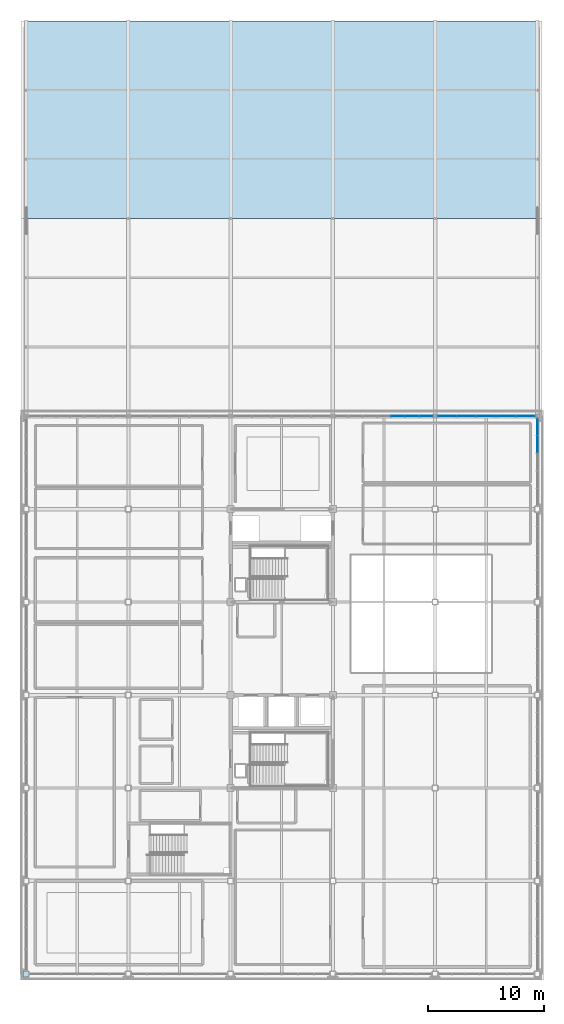
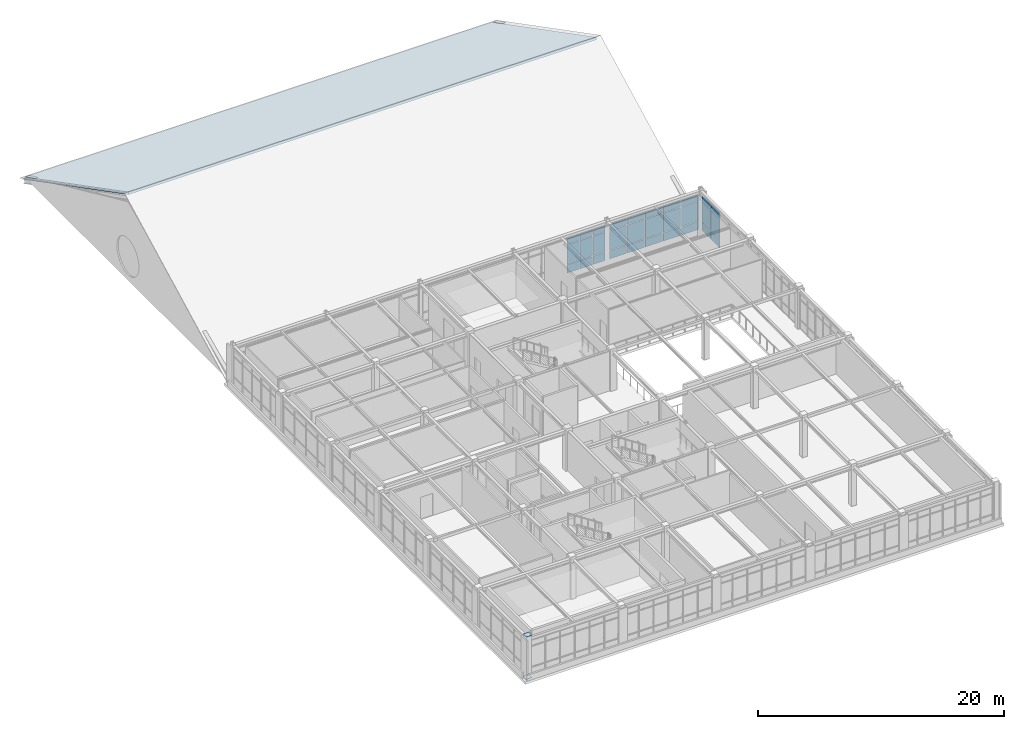
# One storey, part 26 of 45: 32 plates, 1 slab, 3 elements without a shape of their own.
"""IFC4 building model written with IfcOpenShell, lengths in metres."""

import ifcopenshell
import ifcopenshell.guid

model = None  # the IFC model being written
_history = None  # IfcOwnerHistory: only IFC2X3 demands one
_inside = {}  # id of a spatial element -> (the spatial element, [elements in it])
_under = {}  # id of a project, library or spatial element -> (it, [spatial elements below it])
_declared = {}  # id of a project -> (the project, [libraries it declares])
_typed = {}  # id of a type object -> (the type object, [elements of that type])
_made_of = {}  # id of a material, layer set ... -> (it, [elements and type objects made of it])


def new_model(schema):
    """Start an empty IFC model of exactly this schema.

    Asked for "IFC4X3", IfcOpenShell would pick the latest addendum, in which some entities
    have other attributes; the version numbers below select the first issue.
    IFC2X3 requires an IfcOwnerHistory on every rooted entity: one is made here for all.
    """
    global model, _history
    if schema == "IFC4X3":
        model = ifcopenshell.file(schema_version=(4, 3, 0, 0))
    else:
        model = ifcopenshell.file(schema=schema)
    _inside.clear()
    _under.clear()
    _declared.clear()
    _typed.clear()
    _made_of.clear()
    _history = None
    if model.schema == "IFC2X3":
        org = make("IfcOrganization", Name="unknown")
        user = make(
            "IfcPersonAndOrganization",
            ThePerson=make("IfcPerson", FamilyName="unknown"),
            TheOrganization=org,
        )
        app = make(
            "IfcApplication",
            ApplicationDeveloper=org,
            Version="unknown",
            ApplicationFullName="unknown",
            ApplicationIdentifier="unknown",
        )
        _history = make(
            "IfcOwnerHistory",
            OwningUser=user,
            OwningApplication=app,
            ChangeAction="ADDED",
            CreationDate=0,
        )
    return model


def make(cls, **values):
    """One entity of the class cls with the attributes given. An attribute that is None is left unset."""
    return model.create_entity(
        cls, **{name: value for name, value in values.items() if value is not None}
    )


def rooted(cls, **values):
    """An entity with a GlobalId (a new one), such as an element, a storey or a relation."""
    return make(cls, GlobalId=ifcopenshell.guid.new(), OwnerHistory=_history, **values)


def si_unit(unit_type, name, prefix=None):
    """IfcSIUnit, for example si_unit("LENGTHUNIT", "METRE", prefix="MILLI")."""
    return make("IfcSIUnit", UnitType=unit_type, Prefix=prefix, Name=name)


def assignment(units):
    """IfcUnitAssignment: the units of a project."""
    return None if units is None else make("IfcUnitAssignment", Units=units)


def point(xyz):
    """IfcCartesianPoint."""
    return None if xyz is None else make("IfcCartesianPoint", Coordinates=xyz)


def direction(xyz):
    """IfcDirection."""
    return None if xyz is None else make("IfcDirection", DirectionRatios=xyz)


def frame(location, z_axis=None, x_axis=None):
    """IfcAxis2Placement3D, a coordinate frame: its origin and axes. An axis left out is left unset."""
    return make(
        "IfcAxis2Placement3D",
        Location=point(location),
        Axis=direction(z_axis),
        RefDirection=direction(x_axis),
    )


def frame_2d(location, x_axis=None):
    """IfcAxis2Placement2D, a coordinate frame in the plane: its origin and x axis."""
    return make(
        "IfcAxis2Placement2D", Location=point(location), RefDirection=direction(x_axis)
    )


def origin():
    """The frame at (0, 0, 0) with its axes left unset."""
    return frame((0.0, 0.0, 0.0))


def origin_2d():
    """The frame at (0, 0) in the plane with its x axis left unset."""
    return frame_2d((0.0, 0.0))


def place(relative_to, where):
    """IfcLocalPlacement: puts the frame where relative to a parent placement (None: the world)."""
    return make(
        "IfcLocalPlacement", PlacementRelTo=relative_to, RelativePlacement=where
    )


def context(
    kind, dimensions, precision=None, world=None, true_north=None, identifier=None
):
    """IfcGeometricRepresentationContext, for example the 3D "Model" context."""
    return make(
        "IfcGeometricRepresentationContext",
        ContextIdentifier=identifier,
        ContextType=kind,
        CoordinateSpaceDimension=dimensions,
        Precision=precision,
        WorldCoordinateSystem=world,
        TrueNorth=true_north,
    )


def subcontext(parent, identifier, kind, view, scale=None):
    """IfcGeometricRepresentationSubContext, for example "Body" below "Model"."""
    return make(
        "IfcGeometricRepresentationSubContext",
        ContextIdentifier=identifier,
        ContextType=kind,
        ParentContext=parent,
        TargetScale=scale,
        TargetView=view,
    )


def project(units=None, contexts=None):
    """IfcProject with its units and contexts."""
    return rooted(
        "IfcProject",
        Name="project",
        RepresentationContexts=contexts,
        UnitsInContext=assignment(units),
    )


def spatial(cls, under=None, at=None, **own):
    """A site, building, storey or space (cls), placed at a placement, below another one or the project."""
    s = rooted(cls, ObjectPlacement=at, **own)
    if under is not None:
        _under.setdefault(under.id(), (under, []))[1].append(s)
    return s


def polyline(points):
    """IfcPolyline through the points."""
    return make("IfcPolyline", Points=[point(p) for p in points])


def profile(cls, at=None, kind="AREA", **sizes):
    """A parametric profile (cls). Its sizes go by their IFC names, for example OverallWidth=200.0."""
    return make(cls, ProfileType=kind, Position=at, **sizes)


def rectangle(**sizes):
    """IfcRectangleProfileDef."""
    return profile("IfcRectangleProfileDef", **sizes)


def outline(outer, holes=None, kind="AREA"):
    """IfcArbitraryClosedProfileDef: a profile drawn as a closed curve; with holes, ...WithVoids."""
    if holes is None:
        return make("IfcArbitraryClosedProfileDef", ProfileType=kind, OuterCurve=outer)
    return make(
        "IfcArbitraryProfileDefWithVoids",
        ProfileType=kind,
        OuterCurve=outer,
        InnerCurves=holes,
    )


def extrude(swept, where, along, depth):
    """IfcExtrudedAreaSolid: the profile swept, set in the frame where, extruded along a direction by depth."""
    return make(
        "IfcExtrudedAreaSolid",
        SweptArea=swept,
        Position=where,
        ExtrudedDirection=direction(along),
        Depth=depth,
    )


def shape(context_of_items, identifier, shape_type, items):
    """IfcShapeRepresentation: the items that make up one representation, for example the "Body"."""
    return make(
        "IfcShapeRepresentation",
        ContextOfItems=context_of_items,
        RepresentationIdentifier=identifier,
        RepresentationType=shape_type,
        Items=items,
    )


def material(Name=None, Category=None):
    """IfcMaterial."""
    return make("IfcMaterial", Name=Name, Category=Category)


def layer(
    of_material, thickness, ventilated=None, Name=None, Category=None, Priority=None
):
    """IfcMaterialLayer: one layer of a wall or slab, of a material (None: an air gap)."""
    return make(
        "IfcMaterialLayer",
        Material=of_material,
        LayerThickness=thickness,
        IsVentilated=ventilated,
        Name=Name,
        Category=Category,
        Priority=Priority,
    )


def layer_set(layers, Name=None):
    """IfcMaterialLayerSet."""
    return make("IfcMaterialLayerSet", MaterialLayers=layers, LayerSetName=Name)


def made_of(thing, what):
    """Note that an element or type object is made of a material, layer set ...; save() writes the relation."""
    if what is not None:
        _made_of.setdefault(what.id(), (what, []))[1].append(thing)
    return thing


def type_object(cls, material=None, **own):
    """A type object (cls), such as IfcWallType, which elements share."""
    return made_of(rooted(cls, **own), material)


def element(
    cls,
    number,
    at=None,
    inside=None,
    cuts=None,
    type_object=None,
    material=None,
    context=None,
    identifier="Body",
    shape_type=None,
    held_by="IfcProductDefinitionShape",
    body=None,
    shapes=None,
    **own,
):
    """One element of the class cls, such as IfcWall. Its Tag is "e" and its number.

    at: its placement. inside: the storey or other place that contains it. cuts: it is an
    opening in that element (IfcRelVoidsElement). A single representation is given by context,
    identifier, shape_type and body (its items); several are given by shapes. held_by: the class
    of the entity that holds the representations. save() writes the other relations.
    """
    e = rooted(cls, Tag="e%d" % number, ObjectPlacement=at, **own)
    if body is not None:
        shapes = [shape(context, identifier, shape_type, body)]
    if shapes is not None:
        e.Representation = make(held_by, Representations=shapes)
    if inside is not None:
        _inside.setdefault(inside.id(), (inside, []))[1].append(e)
    if cuts is not None:
        rooted(
            "IfcRelVoidsElement", RelatingBuildingElement=cuts, RelatedOpeningElement=e
        )
    if type_object is not None:
        _typed.setdefault(type_object.id(), (type_object, []))[1].append(e)
    return made_of(e, material)


def aggregate(whole, parts):
    """IfcRelAggregates: a whole, such as a stair, and the parts it consists of."""
    return rooted("IfcRelAggregates", RelatingObject=whole, RelatedObjects=parts)


def save(model, path):
    """Write the relations noted so far, then the file.

    IfcRelAggregates (storeys below a building ...), IfcRelContainedInSpatialStructure (elements
    in a storey), IfcRelDefinesByType, IfcRelAssociatesMaterial and IfcRelDeclares: one each for
    every whole, place, type object, material and project.
    """
    for whole, parts in _under.values():
        aggregate(whole, parts)
    for where, things in _inside.values():
        rooted(
            "IfcRelContainedInSpatialStructure",
            RelatedElements=things,
            RelatingStructure=where,
        )
    for kind, things in _typed.values():
        rooted("IfcRelDefinesByType", RelatedObjects=things, RelatingType=kind)
    for what, things in _made_of.values():
        rooted("IfcRelAssociatesMaterial", RelatedObjects=things, RelatingMaterial=what)
    for by, libraries in _declared.values():
        rooted("IfcRelDeclares", RelatingContext=by, RelatedDefinitions=libraries)
    model.write(path)


model = new_model("IFC4")

# Units and contexts
model_context = context("Model", 3, precision=1e-05, world=origin(), true_north=direction((0.0, 1.0)))
body_context = subcontext(model_context, "Body", "Model", "MODEL_VIEW")
ifc_project = project(units=[si_unit("LENGTHUNIT", "METRE"), si_unit("AREAUNIT", "SQUARE_METRE"), si_unit("VOLUMEUNIT", "CUBIC_METRE"), si_unit("PLANEANGLEUNIT", "RADIAN"), si_unit("MASSUNIT", "GRAM", prefix="KILO")], contexts=[model_context])

# Site, building, storey
site_placement = place(None, origin())
site = spatial("IfcSite", under=ifc_project, at=site_placement, CompositionType="ELEMENT")
building_placement = place(site_placement, origin())
building = spatial("IfcBuilding", under=site, at=building_placement, Name="Zhaolan Boulevard Law Courts", CompositionType="ELEMENT")
storey_placement = place(building_placement, frame((0.0, 0.0, 24.60009765625)))
storey = spatial("IfcBuildingStorey", under=building, at=storey_placement, Name="L05", CompositionType="ELEMENT", Elevation=24.60009765625)

# Curtain wall, plates
ifc_material_1 = material(Name="Thermally broken aluminium and low-E glazing", Category="aluminium")
curtain_wall_type_1 = type_object("IfcCurtainWallType", Name="CURTAIN WALL M18", PredefinedType="USERDEFINED", material=ifc_material_1)
curtain_wall_1_placement = place(storey_placement, origin())
curtain_wall_1 = element("IfcCurtainWall", 1, at=curtain_wall_1_placement, inside=storey, type_object=curtain_wall_type_1, Name="Curtain Wall CW-L05-210", ObjectType="CURTAIN WALL", PredefinedType="USERDEFINED")
ifc_material_2 = material(Name="Triple-silver low-E insulated glazing", Category="glass")
ifc_layer_1 = layer(ifc_material_2, 0.028076171875)
ifc_layer_set_1 = layer_set([ifc_layer_1])
plate_type_1 = type_object("IfcPlateType", Name="CWPANEL LOW E28", PredefinedType="CURTAIN_PANEL", material=ifc_layer_set_1)
plate_1_placement = place(storey_placement, frame((34.426025390625, 78.0, 0.059814453125), z_axis=(0.0, 0.0, 1.0), x_axis=(-1.0, 0.0, 0.0)))
plate_1 = element("IfcPlate", 2, at=plate_1_placement, type_object=plate_type_1, Name="CW-L05-210 panel 1.1", PredefinedType="CURTAIN_PANEL", context=body_context, shape_type="SweptSolid", body=[
    extrude(rectangle(XDim=1.123779296875, YDim=0.028076171875, at=origin_2d()), origin(), (0.0, 0.0, 1.0), 0.81005859375),
])
plate_2_placement = place(storey_placement, frame((34.426025390625, 78.0, 0.929931640625), z_axis=(0.0, 0.0, 1.0), x_axis=(-1.0, 0.0, 0.0)))
plate_2 = element("IfcPlate", 3, at=plate_2_placement, type_object=plate_type_1, Name="CW-L05-210 panel 1.2", PredefinedType="CURTAIN_PANEL", context=body_context, shape_type="SweptSolid", body=[
    extrude(rectangle(XDim=1.123779296875, YDim=0.028076171875, at=origin_2d()), origin(), (0.0, 0.0, 1.0), 1.93310546875),
])
plate_3_placement = place(storey_placement, frame((34.426025390625, 78.0, 2.9228515625), z_axis=(0.0, 0.0, 1.0), x_axis=(-1.0, 0.0, 0.0)))
plate_3 = element("IfcPlate", 4, at=plate_3_placement, type_object=plate_type_1, Name="CW-L05-210 panel 1.3", PredefinedType="CURTAIN_PANEL", context=body_context, shape_type="SweptSolid", body=[
    extrude(rectangle(XDim=1.123779296875, YDim=0.028076171875, at=origin_2d()), origin(), (0.0, 0.0, 1.0), 0.56005859375),
])
plate_4_placement = place(storey_placement, frame((33.2275390625, 78.0, 0.059814453125), z_axis=(0.0, 0.0, 1.0), x_axis=(-1.0, 0.0, 0.0)))
plate_4 = element("IfcPlate", 5, at=plate_4_placement, type_object=plate_type_1, Name="CW-L05-210 panel 2.1", PredefinedType="CURTAIN_PANEL", context=body_context, shape_type="SweptSolid", body=[
    extrude(rectangle(XDim=1.15380859375, YDim=0.028076171875, at=origin_2d()), origin(), (0.0, 0.0, 1.0), 0.81005859375),
])
plate_5_placement = place(storey_placement, frame((33.2275390625, 78.0, 0.929931640625), z_axis=(0.0, 0.0, 1.0), x_axis=(-1.0, 0.0, 0.0)))
plate_5 = element("IfcPlate", 6, at=plate_5_placement, type_object=plate_type_1, Name="CW-L05-210 panel 2.2", PredefinedType="CURTAIN_PANEL", context=body_context, shape_type="SweptSolid", body=[
    extrude(rectangle(XDim=1.15380859375, YDim=0.028076171875, at=origin_2d()), origin(), (0.0, 0.0, 1.0), 1.93310546875),
])
plate_6_placement = place(storey_placement, frame((33.2275390625, 78.0, 2.9228515625), z_axis=(0.0, 0.0, 1.0), x_axis=(-1.0, 0.0, 0.0)))
plate_6 = element("IfcPlate", 7, at=plate_6_placement, type_object=plate_type_1, Name="CW-L05-210 panel 2.3", PredefinedType="CURTAIN_PANEL", context=body_context, shape_type="SweptSolid", body=[
    extrude(rectangle(XDim=1.15380859375, YDim=0.028076171875, at=origin_2d()), origin(), (0.0, 0.0, 1.0), 0.56005859375),
])
plate_7_placement = place(storey_placement, frame((32.013671875, 78.0, 0.059814453125), z_axis=(0.0, 0.0, 1.0), x_axis=(-1.0, 0.0, 0.0)))
plate_7 = element("IfcPlate", 8, at=plate_7_placement, type_object=plate_type_1, Name="CW-L05-210 panel 3.1", PredefinedType="CURTAIN_PANEL", context=body_context, shape_type="SweptSolid", body=[
    extrude(rectangle(XDim=1.15380859375, YDim=0.028076171875, at=origin_2d()), origin(), (0.0, 0.0, 1.0), 0.81005859375),
])
plate_8_placement = place(storey_placement, frame((32.013671875, 78.0, 0.929931640625), z_axis=(0.0, 0.0, 1.0), x_axis=(-1.0, 0.0, 0.0)))
plate_8 = element("IfcPlate", 9, at=plate_8_placement, type_object=plate_type_1, Name="CW-L05-210 panel 3.2", PredefinedType="CURTAIN_PANEL", context=body_context, shape_type="SweptSolid", body=[
    extrude(rectangle(XDim=1.15380859375, YDim=0.028076171875, at=origin_2d()), origin(), (0.0, 0.0, 1.0), 1.93310546875),
])
plate_9_placement = place(storey_placement, frame((32.013671875, 78.0, 2.9228515625), z_axis=(0.0, 0.0, 1.0), x_axis=(-1.0, 0.0, 0.0)))
plate_9 = element("IfcPlate", 10, at=plate_9_placement, type_object=plate_type_1, Name="CW-L05-210 panel 3.3", PredefinedType="CURTAIN_PANEL", context=body_context, shape_type="SweptSolid", body=[
    extrude(rectangle(XDim=1.15380859375, YDim=0.028076171875, at=origin_2d()), origin(), (0.0, 0.0, 1.0), 0.56005859375),
])
aggregate(curtain_wall_1, [plate_1, plate_2, plate_3, plate_4, plate_5, plate_6, plate_7, plate_8, plate_9])

ifc_material_3 = material(Name="Thermally broken aluminium and low-E glazing", Category="aluminium")
curtain_wall_type_2 = type_object("IfcCurtainWallType", Name="CURTAIN WALL M19", PredefinedType="USERDEFINED", material=ifc_material_3)
curtain_wall_2_placement = place(storey_placement, origin())
curtain_wall_2 = element("IfcCurtainWall", 11, at=curtain_wall_2_placement, inside=storey, type_object=curtain_wall_type_2, Name="Curtain Wall CW-L05-211", ObjectType="CURTAIN WALL", PredefinedType="USERDEFINED")
plate_10_placement = place(storey_placement, frame((42.982177734375, 78.0, 0.06494140625), z_axis=(0.0, 0.0, 1.0), x_axis=(-1.0, 0.0, 0.0)))
plate_10 = element("IfcPlate", 12, at=plate_10_placement, type_object=plate_type_1, Name="CW-L05-211 panel 1.1", PredefinedType="CURTAIN_PANEL", context=body_context, shape_type="SweptSolid", body=[
    extrude(rectangle(XDim=1.601806640625, YDim=0.028076171875, at=origin_2d()), origin(), (0.0, 0.0, 1.0), 0.802490234375),
])
plate_11_placement = place(storey_placement, frame((42.982177734375, 78.0, 0.9326171875), z_axis=(0.0, 0.0, 1.0), x_axis=(-1.0, 0.0, 0.0)))
plate_11 = element("IfcPlate", 13, at=plate_11_placement, type_object=plate_type_1, Name="CW-L05-211 panel 1.2", PredefinedType="CURTAIN_PANEL", context=body_context, shape_type="SweptSolid", body=[
    extrude(rectangle(XDim=1.601806640625, YDim=0.028076171875, at=origin_2d()), origin(), (0.0, 0.0, 1.0), 1.927978515625),
])
plate_12_placement = place(storey_placement, frame((42.982177734375, 78.0, 2.92529296875), z_axis=(0.0, 0.0, 1.0), x_axis=(-1.0, 0.0, 0.0)))
plate_12 = element("IfcPlate", 14, at=plate_12_placement, type_object=plate_type_1, Name="CW-L05-211 panel 1.3", PredefinedType="CURTAIN_PANEL", context=body_context, shape_type="SweptSolid", body=[
    extrude(rectangle(XDim=1.601806640625, YDim=0.028076171875, at=origin_2d()), origin(), (0.0, 0.0, 1.0), 0.552490234375),
])
plate_13_placement = place(storey_placement, frame((41.29931640625, 78.0, 0.06494140625), z_axis=(0.0, 0.0, 1.0), x_axis=(-1.0, 0.0, 0.0)))
plate_13 = element("IfcPlate", 15, at=plate_13_placement, type_object=plate_type_1, Name="CW-L05-211 panel 2.1", PredefinedType="CURTAIN_PANEL", context=body_context, shape_type="SweptSolid", body=[
    extrude(rectangle(XDim=1.63427734375, YDim=0.028076171875, at=origin_2d()), origin(), (0.0, 0.0, 1.0), 0.802490234375),
])
plate_14_placement = place(storey_placement, frame((41.29931640625, 78.0, 0.9326171875), z_axis=(0.0, 0.0, 1.0), x_axis=(-1.0, 0.0, 0.0)))
plate_14 = element("IfcPlate", 16, at=plate_14_placement, type_object=plate_type_1, Name="CW-L05-211 panel 2.2", PredefinedType="CURTAIN_PANEL", context=body_context, shape_type="SweptSolid", body=[
    extrude(rectangle(XDim=1.63427734375, YDim=0.028076171875, at=origin_2d()), origin(), (0.0, 0.0, 1.0), 1.927978515625),
])
plate_15_placement = place(storey_placement, frame((41.29931640625, 78.0, 2.92529296875), z_axis=(0.0, 0.0, 1.0), x_axis=(-1.0, 0.0, 0.0)))
plate_15 = element("IfcPlate", 17, at=plate_15_placement, type_object=plate_type_1, Name="CW-L05-211 panel 2.3", PredefinedType="CURTAIN_PANEL", context=body_context, shape_type="SweptSolid", body=[
    extrude(rectangle(XDim=1.63427734375, YDim=0.028076171875, at=origin_2d()), origin(), (0.0, 0.0, 1.0), 0.552490234375),
])
plate_16_placement = place(storey_placement, frame((39.60009765625, 78.0, 0.06494140625), z_axis=(0.0, 0.0, 1.0), x_axis=(-1.0, 0.0, 0.0)))
plate_16 = element("IfcPlate", 18, at=plate_16_placement, type_object=plate_type_1, Name="CW-L05-211 panel 3.1", PredefinedType="CURTAIN_PANEL", context=body_context, shape_type="SweptSolid", body=[
    extrude(rectangle(XDim=1.63427734375, YDim=0.028076171875, at=origin_2d()), origin(), (0.0, 0.0, 1.0), 0.802490234375),
])
plate_17_placement = place(storey_placement, frame((39.60009765625, 78.0, 0.9326171875), z_axis=(0.0, 0.0, 1.0), x_axis=(-1.0, 0.0, 0.0)))
plate_17 = element("IfcPlate", 19, at=plate_17_placement, type_object=plate_type_1, Name="CW-L05-211 panel 3.2", PredefinedType="CURTAIN_PANEL", context=body_context, shape_type="SweptSolid", body=[
    extrude(rectangle(XDim=1.63427734375, YDim=0.028076171875, at=origin_2d()), origin(), (0.0, 0.0, 1.0), 1.927978515625),
])
plate_18_placement = place(storey_placement, frame((39.60009765625, 78.0, 2.92529296875), z_axis=(0.0, 0.0, 1.0), x_axis=(-1.0, 0.0, 0.0)))
plate_18 = element("IfcPlate", 20, at=plate_18_placement, type_object=plate_type_1, Name="CW-L05-211 panel 3.3", PredefinedType="CURTAIN_PANEL", context=body_context, shape_type="SweptSolid", body=[
    extrude(rectangle(XDim=1.63427734375, YDim=0.028076171875, at=origin_2d()), origin(), (0.0, 0.0, 1.0), 0.552490234375),
])
plate_19_placement = place(storey_placement, frame((37.90087890625, 78.0, 0.06494140625), z_axis=(0.0, 0.0, 1.0), x_axis=(-1.0, 0.0, 0.0)))
plate_19 = element("IfcPlate", 21, at=plate_19_placement, type_object=plate_type_1, Name="CW-L05-211 panel 4.1", PredefinedType="CURTAIN_PANEL", context=body_context, shape_type="SweptSolid", body=[
    extrude(rectangle(XDim=1.63427734375, YDim=0.028076171875, at=origin_2d()), origin(), (0.0, 0.0, 1.0), 0.802490234375),
])
plate_20_placement = place(storey_placement, frame((37.90087890625, 78.0, 0.9326171875), z_axis=(0.0, 0.0, 1.0), x_axis=(-1.0, 0.0, 0.0)))
plate_20 = element("IfcPlate", 22, at=plate_20_placement, type_object=plate_type_1, Name="CW-L05-211 panel 4.2", PredefinedType="CURTAIN_PANEL", context=body_context, shape_type="SweptSolid", body=[
    extrude(rectangle(XDim=1.63427734375, YDim=0.028076171875, at=origin_2d()), origin(), (0.0, 0.0, 1.0), 1.927978515625),
])
plate_21_placement = place(storey_placement, frame((37.90087890625, 78.0, 2.92529296875), z_axis=(0.0, 0.0, 1.0), x_axis=(-1.0, 0.0, 0.0)))
plate_21 = element("IfcPlate", 23, at=plate_21_placement, type_object=plate_type_1, Name="CW-L05-211 panel 4.3", PredefinedType="CURTAIN_PANEL", context=body_context, shape_type="SweptSolid", body=[
    extrude(rectangle(XDim=1.63427734375, YDim=0.028076171875, at=origin_2d()), origin(), (0.0, 0.0, 1.0), 0.552490234375),
])
plate_22_placement = place(storey_placement, frame((36.2177734375, 78.0, 0.06494140625), z_axis=(0.0, 0.0, 1.0), x_axis=(-1.0, 0.0, 0.0)))
plate_22 = element("IfcPlate", 24, at=plate_22_placement, type_object=plate_type_1, Name="CW-L05-211 panel 5.1", PredefinedType="CURTAIN_PANEL", context=body_context, shape_type="SweptSolid", body=[
    extrude(rectangle(XDim=1.601806640625, YDim=0.028076171875, at=origin_2d()), origin(), (0.0, 0.0, 1.0), 0.802490234375),
])
plate_23_placement = place(storey_placement, frame((36.2177734375, 78.0, 0.9326171875), z_axis=(0.0, 0.0, 1.0), x_axis=(-1.0, 0.0, 0.0)))
plate_23 = element("IfcPlate", 25, at=plate_23_placement, type_object=plate_type_1, Name="CW-L05-211 panel 5.2", PredefinedType="CURTAIN_PANEL", context=body_context, shape_type="SweptSolid", body=[
    extrude(rectangle(XDim=1.601806640625, YDim=0.028076171875, at=origin_2d()), origin(), (0.0, 0.0, 1.0), 1.927978515625),
])
plate_24_placement = place(storey_placement, frame((36.2177734375, 78.0, 2.92529296875), z_axis=(0.0, 0.0, 1.0), x_axis=(-1.0, 0.0, 0.0)))
plate_24 = element("IfcPlate", 26, at=plate_24_placement, type_object=plate_type_1, Name="CW-L05-211 panel 5.3", PredefinedType="CURTAIN_PANEL", context=body_context, shape_type="SweptSolid", body=[
    extrude(rectangle(XDim=1.601806640625, YDim=0.028076171875, at=origin_2d()), origin(), (0.0, 0.0, 1.0), 0.552490234375),
])
aggregate(curtain_wall_2, [plate_10, plate_11, plate_12, plate_13, plate_14, plate_15, plate_16, plate_17, plate_18, plate_19, plate_20, plate_21, plate_22, plate_23, plate_24])

ifc_material_4 = material(Name="Thermally broken aluminium and low-E glazing", Category="aluminium")
curtain_wall_type_3 = type_object("IfcCurtainWallType", Name="CURTAIN WALL M7", PredefinedType="USERDEFINED", material=ifc_material_4)
curtain_wall_3_placement = place(storey_placement, origin())
curtain_wall_3 = element("IfcCurtainWall", 27, at=curtain_wall_3_placement, inside=storey, type_object=curtain_wall_type_3, Name="Curtain Wall CW-L05-223", ObjectType="CURTAIN WALL", PredefinedType="USERDEFINED")
plate_25_placement = place(storey_placement, frame((44.0, 75.569091796875, 0.06494140625), z_axis=(0.0, 0.0, 1.0), x_axis=(0.0, 1.0, 0.0)))
plate_25 = element("IfcPlate", 28, at=plate_25_placement, type_object=plate_type_1, Name="CW-L05-223 panel 4.1", PredefinedType="CURTAIN_PANEL", context=body_context, shape_type="SweptSolid", body=[
    extrude(rectangle(XDim=1.4541015625, YDim=0.028076171875, at=origin_2d()), origin(), (0.0, 0.0, 1.0), 0.802490234375),
])
plate_26_placement = place(storey_placement, frame((44.0, 75.569091796875, 0.932373046875), z_axis=(0.0, 0.0, 1.0), x_axis=(0.0, 1.0, 0.0)))
plate_26 = element("IfcPlate", 29, at=plate_26_placement, type_object=plate_type_1, Name="CW-L05-223 panel 4.2", PredefinedType="CURTAIN_PANEL", context=body_context, shape_type="SweptSolid", body=[
    extrude(rectangle(XDim=1.4541015625, YDim=0.028076171875, at=origin_2d()), origin(), (0.0, 0.0, 1.0), 1.97802734375),
])
plate_27_placement = place(storey_placement, frame((44.0, 75.569091796875, 2.9755859375), z_axis=(0.0, 0.0, 1.0), x_axis=(0.0, 1.0, 0.0)))
plate_27 = element("IfcPlate", 30, at=plate_27_placement, type_object=plate_type_1, Name="CW-L05-223 panel 4.3", PredefinedType="CURTAIN_PANEL", context=body_context, shape_type="SweptSolid", body=[
    extrude(rectangle(XDim=1.4541015625, YDim=0.028076171875, at=origin_2d()), origin(), (0.0, 0.0, 1.0), 0.552490234375),
])
plate_28_placement = place(storey_placement, frame((44.0, 77.072265625, 0.06494140625), z_axis=(0.0, 0.0, 1.0), x_axis=(0.0, 1.0, 0.0)))
plate_28 = element("IfcPlate", 31, at=plate_28_placement, type_object=plate_type_1, Name="CW-L05-223 panel 5.1", PredefinedType="CURTAIN_PANEL", context=body_context, shape_type="SweptSolid", body=[
    extrude(rectangle(XDim=1.421630859375, YDim=0.028076171875, at=origin_2d()), origin(), (0.0, 0.0, 1.0), 0.802490234375),
])
plate_29_placement = place(storey_placement, frame((44.0, 77.072265625, 0.932373046875), z_axis=(0.0, 0.0, 1.0), x_axis=(0.0, 1.0, 0.0)))
plate_29 = element("IfcPlate", 32, at=plate_29_placement, type_object=plate_type_1, Name="CW-L05-223 panel 5.2", PredefinedType="CURTAIN_PANEL", context=body_context, shape_type="SweptSolid", body=[
    extrude(rectangle(XDim=1.421630859375, YDim=0.028076171875, at=origin_2d()), origin(), (0.0, 0.0, 1.0), 1.97802734375),
])
plate_30_placement = place(storey_placement, frame((44.0, 77.072265625, 2.9755859375), z_axis=(0.0, 0.0, 1.0), x_axis=(0.0, 1.0, 0.0)))
plate_30 = element("IfcPlate", 33, at=plate_30_placement, type_object=plate_type_1, Name="CW-L05-223 panel 5.3", PredefinedType="CURTAIN_PANEL", context=body_context, shape_type="SweptSolid", body=[
    extrude(rectangle(XDim=1.421630859375, YDim=0.028076171875, at=origin_2d()), origin(), (0.0, 0.0, 1.0), 0.552490234375),
])
aggregate(curtain_wall_3, [plate_25, plate_26, plate_27, plate_28, plate_29, plate_30])

# Plates
ifc_material_5 = material(Name="Structural steel Q355B", Category="steel")
ifc_layer_2 = layer(ifc_material_5, 0.02001953125)
ifc_layer_set_2 = layer_set([ifc_layer_2])
plate_type_2 = type_object("IfcPlateType", Name="END CAP PLATE 20", PredefinedType="SHEET", material=ifc_layer_set_2)
for number, where, z_axis, x_axis, name in (
    (34, (0.0, 30.0, -0.01806640625), (0.0, 0.0, 1.0), (1.0, 0.0, 0.0), "Hollow Section End-Cap Plate ECP-0013"),
    (35, (0.0, 30.0, 4.197998046875), (0.0, 0.0, 1.0), (1.0, 0.0, 0.0), "Hollow Section End-Cap Plate ECP-0014"),
):
    element("IfcPlate", number, at=place(storey_placement, frame(where, z_axis=z_axis, x_axis=x_axis)), inside=storey, type_object=plate_type_2, Name=name, PredefinedType="SHEET", context=body_context, shape_type="SweptSolid", body=[
        extrude(rectangle(XDim=0.530029296875, YDim=0.530029296875, at=origin_2d()), origin(), (0.0, 0.0, 1.0), 0.02001953125),
    ])

# Slab
ifc_material_6 = material(Name="Concrete C40", Category="concrete")
ifc_layer_3 = layer(ifc_material_6, 0.22998046875)
ifc_layer_set_3 = layer_set([ifc_layer_3])
slab_type = type_object("IfcSlabType", Name="LIBRARY ROOF SLAB 230", PredefinedType="ROOF", material=ifc_layer_set_3)
slab_placement = place(storey_placement, frame((0.0, 95.0, 0.0), z_axis=(1.0, 0.0, 0.0), x_axis=(0.0, 1.0, 0.0)))
element("IfcSlab", 36, at=slab_placement, inside=storey, type_object=slab_type, Name="Law Library Gable Roof North Pitch", PredefinedType="ROOF", context=body_context, shape_type="SweptSolid", body=[
    extrude(outline(polyline([(0.0, 8.800048828125), (17.0, 0.0), (17.0, -0.259033203125), (0.0, 8.541015625), (0.0, 8.800048828125)])), origin(), (0.0, 0.0, 1.0), 44.0),
])

save(model, "model.ifc")
